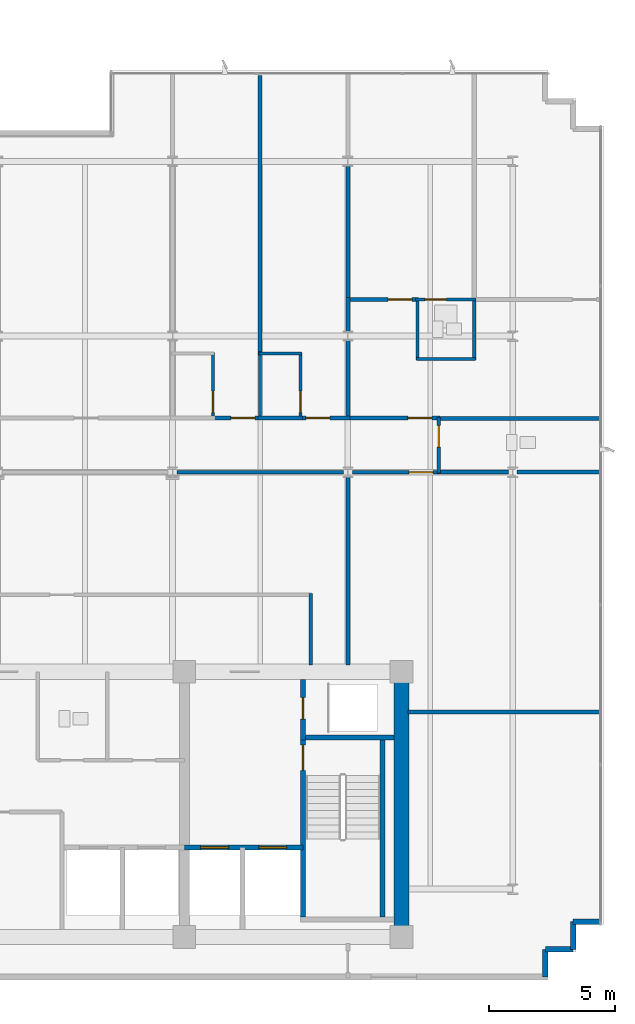
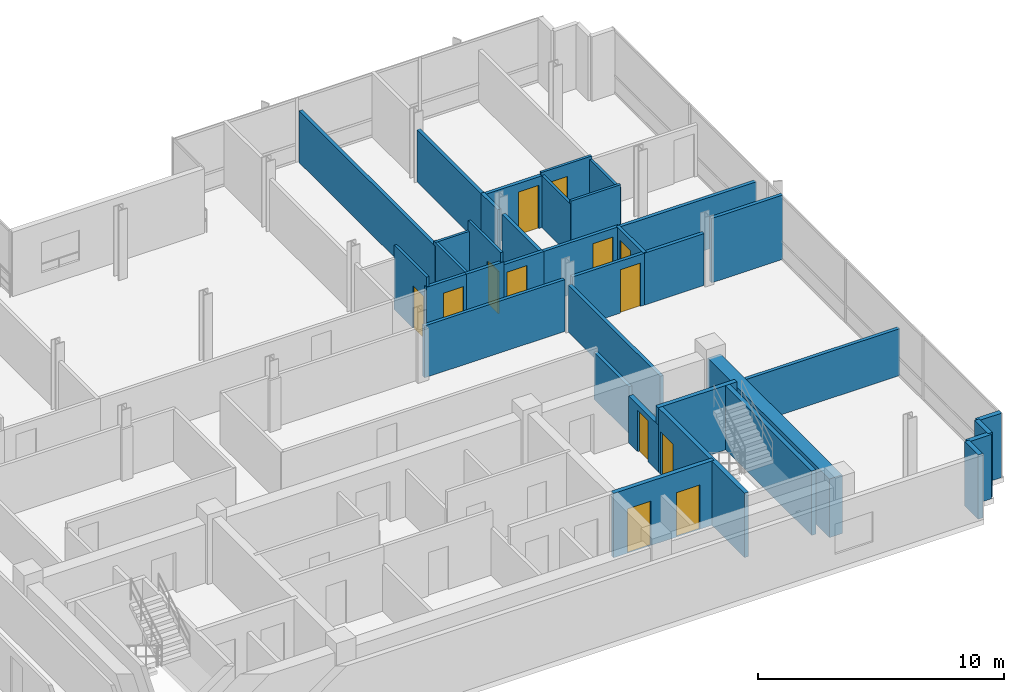
# One storey, part 13 of 17: 36 walls, 13 doors, 13 openings.
"""IFC4 building model written with IfcOpenShell, lengths in metres."""

from ifc_helpers import new_model, si_unit, direction, frame, frame_2d, origin, place, context, subcontext, project, spatial, rectangle, extrude, material, layer, layer_set, type_object, element, fill, save


model = new_model("IFC4")

# Units and contexts
model_context = context("Model", 3, precision=1e-05, world=origin(), true_north=direction((0.0, 1.0)))
body_context = subcontext(model_context, "Body", "Model", "MODEL_VIEW")
ifc_project = project(units=[si_unit("LENGTHUNIT", "METRE"), si_unit("AREAUNIT", "SQUARE_METRE"), si_unit("VOLUMEUNIT", "CUBIC_METRE"), si_unit("PLANEANGLEUNIT", "RADIAN"), si_unit("MASSUNIT", "GRAM", prefix="KILO")], contexts=[model_context])

# Site, building, storey
site_placement = place(None, origin())
site = spatial("IfcSite", under=ifc_project, at=site_placement, CompositionType="ELEMENT")
building_placement = place(site_placement, origin())
building = spatial("IfcBuilding", under=site, at=building_placement, Name="Solmavex Isthmus Hotel", CompositionType="ELEMENT")
storey_placement = place(building_placement, frame((0.0, 0.0, 266.10009765625)))
storey = spatial("IfcBuildingStorey", under=building, at=storey_placement, Name="L72", CompositionType="ELEMENT", Elevation=266.10009765625)

# Walls
ifc_material_1 = material(Name="Precast Concrete C40/50", Category="concrete")
ifc_layer_1 = layer(ifc_material_1, 0.25)
ifc_layer_set_1 = layer_set([ifc_layer_1], Name="Precast Concrete C40/50")
wall_type_1 = type_object("IfcWallType", Name="EW-TWR-250", PredefinedType="STANDARD", material=ifc_layer_set_1)
wall_1_placement = place(storey_placement, frame((23.889892578125, -12.389892578125, 0.0), z_axis=(0.0, 0.0, 1.0), x_axis=(-1.0, 0.0, 0.0)))
element("IfcWall", 1, at=wall_1_placement, inside=storey, type_object=wall_type_1, Name="Serrated Corner Facade Panel L72-16", PredefinedType="STANDARD", context=body_context, shape_type="SweptSolid", body=[
    extrude(rectangle(XDim=1.099853515625, YDim=0.219970703125, at=frame_2d((0.5498046875, 0.0))), origin(), (0.0, 0.0, 1.0), 3.18994140625),
])
for number, where, z_axis, x_axis, name in (
    (2, (22.7900390625, -12.389892578125, 0.0), (0.0, 0.0, 1.0), (0.0, -1.0, 0.0), "Serrated Corner Facade Panel L72-17"),
    (3, (22.7900390625, -13.489990234375, 0.0), (0.0, 0.0, 1.0), (-1.0, 0.0, 0.0), "Serrated Corner Facade Panel L72-18"),
    (4, (21.68994140625, -13.489990234375, 0.0), (0.0, 0.0, 1.0), (0.0, -1.0, 0.0), "Serrated Corner Facade Panel L72-19"),
):
    element("IfcWall", number, at=place(storey_placement, frame(where, z_axis=z_axis, x_axis=x_axis)), inside=storey, type_object=wall_type_1, Name=name, PredefinedType="STANDARD", context=body_context, shape_type="SweptSolid", body=[
        extrude(rectangle(XDim=1.10009765625, YDim=0.219970703125, at=frame_2d((0.550048828125, 0.0))), origin(), (0.0, 0.0, 1.0), 3.18994140625),
    ])
ifc_material_2 = material(Name="Gypsum plasterboard lining", Category="gypsum")
ifc_layer_2 = layer(ifc_material_2, 0.159912109375)
ifc_layer_set_2 = layer_set([ifc_layer_2], Name="Gypsum plasterboard lining")
wall_type_2 = type_object("IfcWallType", Name="IW-COMP-160", PredefinedType="PARTITIONING", material=ifc_layer_set_2)
wall_2_placement = place(storey_placement, frame((10.404052734375, 21.10009765625, 0.0), z_axis=(0.0, 0.0, 1.0), x_axis=(0.0, -1.0, 0.0)))
element("IfcWall", 5, at=wall_2_placement, inside=storey, type_object=wall_type_2, Name="Interior Partition Wall W-L72-P047", PredefinedType="PARTITIONING", context=body_context, shape_type="SweptSolid", body=[
    extrude(rectangle(XDim=11.08203125, YDim=0.159912109375, at=frame_2d((5.541015625, 0.0))), origin(), (0.0, 0.0, 1.0), 2.557373046875),
])
wall_3_placement = place(storey_placement, frame((13.8720703125, 10.613037109375, 0.0), z_axis=(0.0, 0.0, 1.0), x_axis=(0.0, -1.0, 0.0)))
element("IfcWall", 6, at=wall_3_placement, inside=storey, type_object=wall_type_2, Name="Interior Partition Wall W-L72-P051", PredefinedType="PARTITIONING", context=body_context, shape_type="SweptSolid", body=[
    extrude(rectangle(XDim=3.10302734375, YDim=0.159912109375, at=frame_2d((1.551513671875, 0.0))), origin(), (0.0, 0.0, 1.0), 2.572265625),
])
wall_4_placement = place(storey_placement, frame((13.8720703125, 12.320068359375, 0.0), z_axis=(0.0, 0.0, 1.0), x_axis=(0.0, -1.0, 0.0)))
element("IfcWall", 7, at=wall_4_placement, inside=storey, type_object=wall_type_2, Name="Interior Partition Wall W-L72-P052", PredefinedType="PARTITIONING", context=body_context, shape_type="SweptSolid", body=[
    extrude(rectangle(XDim=1.357177734375, YDim=0.159912109375, at=frame_2d((0.6787109375, 0.0))), origin(), (0.0, 0.0, 1.0), 2.572265625),
])
wall_5_placement = place(storey_placement, frame((13.8720703125, 17.52490234375, 0.0), z_axis=(0.0, 0.0, 1.0), x_axis=(0.0, -1.0, 0.0)))
element("IfcWall", 8, at=wall_5_placement, inside=storey, type_object=wall_type_2, Name="Interior Partition Wall W-L72-P053", PredefinedType="PARTITIONING", context=body_context, shape_type="SweptSolid", body=[
    extrude(rectangle(XDim=5.368896484375, YDim=0.159912109375, at=frame_2d((2.6845703125, 0.0))), origin(), (0.0, 0.0, 1.0), 2.572265625),
])

# Wall, opening, door
wall_6_placement = place(storey_placement, frame((13.83203125, 12.238037109375, 0.0), z_axis=(0.0, 0.0, 1.0), x_axis=(1.0, 0.0, 0.0)))
wall_6 = element("IfcWall", 9, at=wall_6_placement, inside=storey, type_object=wall_type_2, Name="Interior Partition Wall W-L72-P055", PredefinedType="PARTITIONING", context=body_context, shape_type="SweptSolid", body=[
    extrude(rectangle(XDim=2.833984375, YDim=0.159912109375, at=frame_2d((1.4169921875, 0.0))), origin(), (0.0, 0.0, 1.0), 2.572265625),
])
opening_1_placement = place(wall_6_placement, frame((1.635986328125, 0.0, 0.0)))
opening_1 = element("IfcOpeningElement", 10, at=opening_1_placement, cuts=wall_6, Name="Opening ID-C095", PredefinedType="OPENING", context=body_context, shape_type="SweptSolid", body=[
    extrude(rectangle(XDim=0.949951171875, YDim=2.14990234375, at=frame_2d((0.47509765625, 1.074951171875))), frame((0.0, 0.08984375, 0.0), z_axis=(0.0, -1.0, 0.0), x_axis=(1.0, 0.0, 0.0)), (0.0, 0.0, 1.0), 0.179931640625),
])
ifc_material_3 = material(Name="Hardwood timber", Category="wood")
door_type_1 = type_object("IfcDoorType", Name="IDR-FD60-0950", OperationType="NOTDEFINED", PredefinedType="DOOR", material=ifc_material_3)
door_1_placement = place(opening_1_placement, origin())
door_1 = element("IfcDoor", 11, at=door_1_placement, inside=storey, type_object=door_type_1, Name="Ambassador Panorama Suite Master Bedroom Door L72-10", OperationType="SINGLE_SWING_RIGHT", OverallHeight=2.14990234375, OverallWidth=0.949951171875, PredefinedType="DOOR", context=body_context, shape_type="SweptSolid", body=[
    extrude(rectangle(XDim=0.949951171875, YDim=2.14990234375, at=frame_2d((0.47509765625, 1.074951171875))), frame((0.0, 0.02490234375, 0.0), z_axis=(0.0, -1.0, 0.0), x_axis=(1.0, 0.0, 0.0)), (0.0, 0.0, 1.0), 0.050048828125),
])
fill(opening_1, door_1)

# Walls
wall_7_placement = place(storey_placement, frame((23.919921875, 7.530029296875, 0.0), z_axis=(0.0, 0.0, 1.0), x_axis=(-1.0, 0.0, 0.0)))
element("IfcWall", 12, at=wall_7_placement, inside=storey, type_object=wall_type_2, Name="Interior Partition Wall W-L72-P060", PredefinedType="PARTITIONING", context=body_context, shape_type="SweptSolid", body=[
    extrude(rectangle(XDim=6.488037109375, YDim=0.159912109375, at=frame_2d((3.244140625, 0.0))), origin(), (0.0, 0.0, 1.0), 2.557373046875),
])
wall_8_placement = place(storey_placement, frame((20.22509765625, 5.39990234375, 0.0), z_axis=(0.0, 0.0, 1.0), x_axis=(-1.0, 0.0, 0.0)))
element("IfcWall", 13, at=wall_8_placement, inside=storey, type_object=wall_type_2, Name="Interior Partition Wall W-L72-P065", PredefinedType="PARTITIONING", context=body_context, shape_type="SweptSolid", body=[
    extrude(rectangle(XDim=2.793212890625, YDim=0.159912109375, at=frame_2d((1.396484375, 0.0))), origin(), (0.0, 0.0, 1.0), 2.572265625),
])
wall_9_placement = place(storey_placement, frame((23.919921875, 5.39990234375, 0.0), z_axis=(0.0, 0.0, 1.0), x_axis=(-1.0, 0.0, 0.0)))
element("IfcWall", 14, at=wall_9_placement, inside=storey, type_object=wall_type_2, Name="Interior Partition Wall W-L72-P066", PredefinedType="PARTITIONING", context=body_context, shape_type="SweptSolid", body=[
    extrude(rectangle(XDim=3.344970703125, YDim=0.159912109375, at=frame_2d((1.67236328125, 0.0))), origin(), (0.0, 0.0, 1.0), 3.18994140625),
])
wall_10_placement = place(storey_placement, frame((16.260009765625, -4.10009765625, 0.0), z_axis=(0.0, 0.0, 1.0), x_axis=(1.0, 0.0, 0.0)))
element("IfcWall", 15, at=wall_10_placement, inside=storey, type_object=wall_type_2, Name="Interior Partition Wall W-L72-P072", PredefinedType="PARTITIONING", context=body_context, shape_type="SweptSolid", body=[
    extrude(rectangle(XDim=7.659912109375, YDim=0.159912109375, at=frame_2d((3.830078125, 0.0))), origin(), (0.0, 0.0, 1.0), 2.324951171875),
])
wall_11_placement = place(storey_placement, frame((13.8720703125, 5.22509765625, 0.0), z_axis=(0.0, 0.0, 1.0), x_axis=(0.0, -1.0, 0.0)))
element("IfcWall", 16, at=wall_11_placement, inside=storey, type_object=wall_type_2, Name="Interior Partition Wall W-L72-P073", PredefinedType="PARTITIONING", context=body_context, shape_type="SweptSolid", body=[
    extrude(rectangle(XDim=7.465087890625, YDim=0.159912109375, at=frame_2d((3.732421875, 0.0))), origin(), (0.0, 0.0, 1.0), 2.324951171875),
])

# Wall, opening, door
ifc_layer_3 = layer(ifc_material_2, 0.14990234375)
ifc_layer_set_3 = layer_set([ifc_layer_3], Name="Gypsum plasterboard lining")
wall_type_3 = type_object("IfcWallType", Name="IW-CORR-150", PredefinedType="PARTITIONING", material=ifc_layer_set_3)
wall_12_placement = place(storey_placement, frame((8.44921875, 7.550048828125, 0.0), z_axis=(0.0, 0.0, 1.0), x_axis=(1.0, 0.0, 0.0)))
wall_12 = element("IfcWall", 17, at=wall_12_placement, inside=storey, type_object=wall_type_3, Name="Interior Partition Wall W-L72-P005", PredefinedType="PARTITIONING", context=body_context, shape_type="SweptSolid", body=[
    extrude(rectangle(XDim=2.036865234375, YDim=0.14990234375, at=frame_2d((1.0185546875, 0.0))), origin(), (0.0, 0.0, 1.0), 2.718017578125),
])
opening_2_placement = place(wall_12_placement, frame((0.789794921875, 0.0, 0.0)))
opening_2 = element("IfcOpeningElement", 18, at=opening_2_placement, cuts=wall_12, Name="Opening ID-C095", PredefinedType="OPENING", context=body_context, shape_type="SweptSolid", body=[
    extrude(rectangle(XDim=0.949951171875, YDim=2.14990234375, at=frame_2d((0.47509765625, 1.074951171875))), frame((0.0, 0.0849609375, 0.0), z_axis=(0.0, -1.0, 0.0), x_axis=(1.0, 0.0, 0.0)), (0.0, 0.0, 1.0), 0.169921875),
])
door_2_placement = place(opening_2_placement, origin())
door_2 = element("IfcDoor", 19, at=door_2_placement, inside=storey, type_object=door_type_1, Name="Diplomatic Suite Door L72-05", OperationType="SINGLE_SWING_LEFT", OverallHeight=2.14990234375, OverallWidth=0.949951171875, PredefinedType="DOOR", context=body_context, shape_type="SweptSolid", body=[
    extrude(rectangle(XDim=0.949951171875, YDim=2.14990234375, at=frame_2d((0.47509765625, 1.074951171875))), frame((0.0, 0.02490234375, 0.0), z_axis=(0.0, -1.0, 0.0), x_axis=(1.0, 0.0, 0.0)), (0.0, 0.0, 1.0), 0.050048828125),
])
fill(opening_2, door_2)

wall_13_placement = place(storey_placement, frame((11.917236328125, 7.550048828125, 0.0), z_axis=(0.0, 0.0, 1.0), x_axis=(1.0, 0.0, 0.0)))
wall_13 = element("IfcWall", 20, at=wall_13_placement, inside=storey, type_object=wall_type_3, Name="Interior Partition Wall W-L72-P007", PredefinedType="PARTITIONING", context=body_context, shape_type="SweptSolid", body=[
    extrude(rectangle(XDim=2.036865234375, YDim=0.14990234375, at=frame_2d((1.0185546875, 0.0))), origin(), (0.0, 0.0, 1.0), 2.572265625),
])
opening_3_placement = place(wall_13_placement, frame((0.296875, 0.0, 0.0)))
opening_3 = element("IfcOpeningElement", 21, at=opening_3_placement, cuts=wall_13, Name="Opening ID-C095", PredefinedType="OPENING", context=body_context, shape_type="SweptSolid", body=[
    extrude(rectangle(XDim=0.949951171875, YDim=2.14990234375, at=frame_2d((0.47509765625, 1.074951171875))), frame((0.0, 0.0849609375, 0.0), z_axis=(0.0, -1.0, 0.0), x_axis=(1.0, 0.0, 0.0)), (0.0, 0.0, 1.0), 0.169921875),
])
door_3_placement = place(opening_3_placement, origin())
door_3 = element("IfcDoor", 22, at=door_3_placement, inside=storey, type_object=door_type_1, Name="Ambassador Suite Door L72-07", OperationType="SINGLE_SWING_LEFT", OverallHeight=2.14990234375, OverallWidth=0.949951171875, PredefinedType="DOOR", context=body_context, shape_type="SweptSolid", body=[
    extrude(rectangle(XDim=0.949951171875, YDim=2.14990234375, at=frame_2d((0.47509765625, 1.074951171875))), frame((0.0, 0.02490234375, 0.0), z_axis=(0.0, -1.0, 0.0), x_axis=(1.0, 0.0, 0.0)), (0.0, 0.0, 1.0), 0.050048828125),
])
fill(opening_3, door_3)

# Wall
wall_14_placement = place(storey_placement, frame((10.322021484375, 7.550048828125, 0.0), z_axis=(0.0, 0.0, 1.0), x_axis=(1.0, 0.0, 0.0)))
element("IfcWall", 23, at=wall_14_placement, inside=storey, type_object=wall_type_3, Name="Interior Partition Wall W-L72-P008", PredefinedType="PARTITIONING", context=body_context, shape_type="SweptSolid", body=[
    extrude(rectangle(XDim=1.75927734375, YDim=0.14990234375, at=frame_2d((0.879638671875, 0.0))), origin(), (0.0, 0.0, 1.0), 2.718017578125),
])

# Wall, opening, door
wall_15_placement = place(storey_placement, frame((13.7900390625, 7.550048828125, 0.0), z_axis=(0.0, 0.0, 1.0), x_axis=(1.0, 0.0, 0.0)))
wall_15 = element("IfcWall", 24, at=wall_15_placement, inside=storey, type_object=wall_type_3, Name="Interior Partition Wall W-L72-P009", PredefinedType="PARTITIONING", context=body_context, shape_type="SweptSolid", body=[
    extrude(rectangle(XDim=3.721923828125, YDim=0.14990234375, at=frame_2d((1.86083984375, 0.0))), origin(), (0.0, 0.0, 1.0), 2.572265625),
])
opening_4_placement = place(wall_15_placement, frame((2.456787109375, 0.0, 0.0)))
opening_4 = element("IfcOpeningElement", 25, at=opening_4_placement, cuts=wall_15, Name="Opening ID-C095", PredefinedType="OPENING", context=body_context, shape_type="SweptSolid", body=[
    extrude(rectangle(XDim=0.949951171875, YDim=2.14990234375, at=frame_2d((0.47509765625, 1.074951171875))), frame((0.0, 0.0849609375, 0.0), z_axis=(0.0, -1.0, 0.0), x_axis=(1.0, 0.0, 0.0)), (0.0, 0.0, 1.0), 0.169921875),
])
door_4_placement = place(opening_4_placement, origin())
door_4 = element("IfcDoor", 26, at=door_4_placement, inside=storey, type_object=door_type_1, Name="Ambassador Panorama Suite Living Salon Door L72-09", OperationType="SINGLE_SWING_LEFT", OverallHeight=2.14990234375, OverallWidth=0.949951171875, PredefinedType="DOOR", context=body_context, shape_type="SweptSolid", body=[
    extrude(rectangle(XDim=0.949951171875, YDim=2.14990234375, at=frame_2d((0.47509765625, 1.074951171875))), frame((0.0, 0.02490234375, 0.0), z_axis=(0.0, -1.0, 0.0), x_axis=(1.0, 0.0, 0.0)), (0.0, 0.0, 1.0), 0.050048828125),
])
fill(opening_4, door_4)

wall_16_placement = place(storey_placement, frame((17.471923828125, 7.570068359375, 0.0), z_axis=(0.0, 0.0, 1.0), x_axis=(0.0, -1.0, 0.0)))
wall_16 = element("IfcWall", 27, at=wall_16_placement, inside=storey, type_object=wall_type_3, Name="Interior Partition Wall W-L72-P011", PredefinedType="PARTITIONING", context=body_context, shape_type="SweptSolid", body=[
    extrude(rectangle(XDim=2.2099609375, YDim=0.14990234375, at=frame_2d((1.10498046875, 0.0))), origin(), (0.0, 0.0, 1.0), 2.572265625),
])
opening_5_placement = place(wall_16_placement, frame((0.322265625, 0.0, 0.0)))
opening_5 = element("IfcOpeningElement", 28, at=opening_5_placement, cuts=wall_16, Name="Opening ID-R085", PredefinedType="OPENING", context=body_context, shape_type="SweptSolid", body=[
    extrude(rectangle(XDim=0.85009765625, YDim=2.050048828125, at=frame_2d((0.425048828125, 1.02490234375))), frame((0.0, 0.0849609375, 0.0), z_axis=(0.0, -1.0, 0.0), x_axis=(1.0, 0.0, 0.0)), (0.0, 0.0, 1.0), 0.169921875),
])
ifc_material_4 = material(Name="Steel ASTM A500 Grade C", Category="steel")
door_type_2 = type_object("IfcDoorType", Name="IDR-FD60-0850", OperationType="NOTDEFINED", PredefinedType="DOOR", material=ifc_material_4)
door_5_placement = place(opening_5_placement, frame((0.85009765625, 0.0, 0.0), z_axis=(0.0, 0.0, 1.0), x_axis=(-1.0, 0.0, 0.0)))
door_5 = element("IfcDoor", 29, at=door_5_placement, inside=storey, type_object=door_type_2, Name="Public Restroom WC Door L72-14", OperationType="SINGLE_SWING_RIGHT", OverallHeight=2.050048828125, OverallWidth=0.85009765625, PredefinedType="DOOR", context=body_context, shape_type="SweptSolid", body=[
    extrude(rectangle(XDim=0.85009765625, YDim=2.050048828125, at=frame_2d((0.425048828125, 1.02490234375))), frame((0.0, 0.02490234375, 0.0), z_axis=(0.0, -1.0, 0.0), x_axis=(1.0, 0.0, 0.0)), (0.0, 0.0, 1.0), 0.050048828125),
])
fill(opening_5, door_5)

# Walls
wall_17_placement = place(storey_placement, frame((13.697021484375, 5.39990234375, 0.0), z_axis=(0.0, 0.0, 1.0), x_axis=(-1.0, 0.0, 0.0)))
element("IfcWall", 30, at=wall_17_placement, inside=storey, type_object=wall_type_3, Name="Interior Partition Wall W-L72-P024", PredefinedType="PARTITIONING", context=body_context, shape_type="SweptSolid", body=[
    extrude(rectangle(XDim=6.5859375, YDim=0.14990234375, at=frame_2d((3.29296875, 0.0))), origin(), (0.0, 0.0, 1.0), 2.572265625),
])
wall_18_placement = place(storey_placement, frame((12.39990234375, 0.590087890625, 0.0), z_axis=(0.0, 0.0, 1.0), x_axis=(0.0, -1.0, 0.0)))
element("IfcWall", 31, at=wall_18_placement, inside=storey, type_object=wall_type_3, Name="Interior Partition Wall W-L72-P031", PredefinedType="PARTITIONING", context=body_context, shape_type="SweptSolid", body=[
    extrude(rectangle(XDim=2.830078125, YDim=0.14990234375, at=frame_2d((1.4150390625, 0.0))), origin(), (0.0, 0.0, 1.0), 2.324951171875),
])

# Wall, opening, door
wall_19_placement = place(storey_placement, frame((17.511962890625, 5.39990234375, 0.0), z_axis=(0.0, 0.0, 1.0), x_axis=(-1.0, 0.0, 0.0)))
wall_19 = element("IfcWall", 32, at=wall_19_placement, inside=storey, type_object=wall_type_3, Name="Interior Partition Wall W-L72-P032", PredefinedType="PARTITIONING", context=body_context, shape_type="SweptSolid", body=[
    extrude(rectangle(XDim=3.46484375, YDim=0.14990234375, at=frame_2d((1.732421875, 0.0))), origin(), (0.0, 0.0, 1.0), 2.572265625),
])
opening_6_placement = place(wall_19_placement, frame((0.26220703125, 0.0, 0.0)))
opening_6 = element("IfcOpeningElement", 33, at=opening_6_placement, cuts=wall_19, Name="Opening ID-C095", PredefinedType="OPENING", context=body_context, shape_type="SweptSolid", body=[
    extrude(rectangle(XDim=0.949951171875, YDim=2.14990234375, at=frame_2d((0.47509765625, 1.074951171875))), frame((0.0, 0.0849609375, 0.0), z_axis=(0.0, -1.0, 0.0), x_axis=(1.0, 0.0, 0.0)), (0.0, 0.0, 1.0), 0.169921875),
])
door_6_placement = place(opening_6_placement, origin())
door_6 = element("IfcDoor", 34, at=door_6_placement, inside=storey, type_object=door_type_1, Name="Executive Boardroom Door L72-23", OperationType="SINGLE_SWING_LEFT", OverallHeight=2.14990234375, OverallWidth=0.949951171875, PredefinedType="DOOR", context=body_context, shape_type="SweptSolid", body=[
    extrude(rectangle(XDim=0.949951171875, YDim=2.14990234375, at=frame_2d((0.47509765625, 1.074951171875))), frame((0.0, 0.02490234375, 0.0), z_axis=(0.0, -1.0, 0.0), x_axis=(1.0, 0.0, 0.0)), (0.0, 0.0, 1.0), 0.050048828125),
])
fill(opening_6, door_6)

ifc_layer_4 = layer(ifc_material_2, 0.1201171875)
ifc_layer_set_4 = layer_set([ifc_layer_4], Name="Gypsum plasterboard lining")
wall_type_4 = type_object("IfcWallType", Name="IW-PART-120", PredefinedType="PARTITIONING", material=ifc_layer_set_4)
wall_20_placement = place(storey_placement, frame((8.53125, 7.510009765625, 0.0), z_axis=(0.0, 0.0, 1.0), x_axis=(0.0, 1.0, 0.0)))
wall_20 = element("IfcWall", 35, at=wall_20_placement, inside=storey, type_object=wall_type_4, Name="Interior Partition Wall W-L72-P045", PredefinedType="PARTITIONING", context=body_context, shape_type="SweptSolid", body=[
    extrude(rectangle(XDim=2.6298828125, YDim=0.1201171875, at=frame_2d((1.31494140625, 0.0))), origin(), (0.0, 0.0, 1.0), 3.18994140625),
])
opening_7_placement = place(wall_20_placement, frame((0.247314453125, 0.0, 0.0)))
opening_7 = element("IfcOpeningElement", 36, at=opening_7_placement, cuts=wall_20, Name="Opening ID-U085", PredefinedType="OPENING", context=body_context, shape_type="SweptSolid", body=[
    extrude(rectangle(XDim=0.85009765625, YDim=2.10009765625, at=frame_2d((0.425048828125, 1.050048828125))), frame((0.0, 0.070068359375, 0.0), z_axis=(0.0, -1.0, 0.0), x_axis=(1.0, 0.0, 0.0)), (0.0, 0.0, 1.0), 0.14013671875),
])
door_type_3 = type_object("IfcDoorType", Name="IDR-UNR-0850", OperationType="NOTDEFINED", PredefinedType="DOOR", material=ifc_material_3)
door_7_placement = place(opening_7_placement, frame((0.85009765625, 0.0, 0.0), z_axis=(0.0, 0.0, 1.0), x_axis=(-1.0, 0.0, 0.0)))
door_7 = element("IfcDoor", 37, at=door_7_placement, inside=storey, type_object=door_type_3, Name="En-suite Bathroom Door L72-06", OperationType="SINGLE_SWING_RIGHT", OverallHeight=2.10009765625, OverallWidth=0.85009765625, PredefinedType="DOOR", context=body_context, shape_type="SweptSolid", body=[
    extrude(rectangle(XDim=0.85009765625, YDim=2.10009765625, at=frame_2d((0.425048828125, 1.050048828125))), frame((0.0, 0.02490234375, 0.0), z_axis=(0.0, -1.0, 0.0), x_axis=(1.0, 0.0, 0.0)), (0.0, 0.0, 1.0), 0.050048828125),
])
fill(opening_7, door_7)

# Wall
wall_21_placement = place(storey_placement, frame((10.404052734375, 10.181884765625, 0.0), z_axis=(0.0, 0.0, 1.0), x_axis=(0.0, -1.0, 0.0)))
element("IfcWall", 38, at=wall_21_placement, inside=storey, type_object=wall_type_4, Name="Interior Partition Wall W-L72-P048", PredefinedType="PARTITIONING", context=body_context, shape_type="SweptSolid", body=[
    extrude(rectangle(XDim=2.671875, YDim=0.1201171875, at=frame_2d((1.3359375, 0.0))), origin(), (0.0, 0.0, 1.0), 2.718017578125),
])

# Wall, opening, door
wall_22_placement = place(storey_placement, frame((11.999267578125, 7.510009765625, 0.0), z_axis=(0.0, 0.0, 1.0), x_axis=(0.0, 1.0, 0.0)))
wall_22 = element("IfcWall", 39, at=wall_22_placement, inside=storey, type_object=wall_type_4, Name="Interior Partition Wall W-L72-P049", PredefinedType="PARTITIONING", context=body_context, shape_type="SweptSolid", body=[
    extrude(rectangle(XDim=2.6298828125, YDim=0.1201171875, at=frame_2d((1.31494140625, 0.0))), origin(), (0.0, 0.0, 1.0), 3.18994140625),
])
opening_8_placement = place(wall_22_placement, frame((0.247314453125, 0.0, 0.0)))
opening_8 = element("IfcOpeningElement", 40, at=opening_8_placement, cuts=wall_22, Name="Opening ID-U085", PredefinedType="OPENING", context=body_context, shape_type="SweptSolid", body=[
    extrude(rectangle(XDim=0.85009765625, YDim=2.10009765625, at=frame_2d((0.425048828125, 1.050048828125))), frame((0.0, 0.070068359375, 0.0), z_axis=(0.0, -1.0, 0.0), x_axis=(1.0, 0.0, 0.0)), (0.0, 0.0, 1.0), 0.14013671875),
])
door_8_placement = place(opening_8_placement, origin())
door_8 = element("IfcDoor", 41, at=door_8_placement, inside=storey, type_object=door_type_3, Name="En-suite Bathroom Door L72-08", OperationType="SINGLE_SWING_RIGHT", OverallHeight=2.10009765625, OverallWidth=0.85009765625, PredefinedType="DOOR", context=body_context, shape_type="SweptSolid", body=[
    extrude(rectangle(XDim=0.85009765625, YDim=2.10009765625, at=frame_2d((0.425048828125, 1.050048828125))), frame((0.0, 0.02490234375, 0.0), z_axis=(0.0, -1.0, 0.0), x_axis=(1.0, 0.0, 0.0)), (0.0, 0.0, 1.0), 0.050048828125),
])
fill(opening_8, door_8)

# Walls
wall_23_placement = place(storey_placement, frame((12.039306640625, 10.10009765625, 0.0), z_axis=(0.0, 0.0, 1.0), x_axis=(-1.0, 0.0, 0.0)))
element("IfcWall", 42, at=wall_23_placement, inside=storey, type_object=wall_type_4, Name="Interior Partition Wall W-L72-P050", PredefinedType="PARTITIONING", context=body_context, shape_type="SweptSolid", body=[
    extrude(rectangle(XDim=1.67529296875, YDim=0.1201171875, at=frame_2d((0.837646484375, 0.0))), origin(), (0.0, 0.0, 1.0), 2.718017578125),
])
wall_24_placement = place(storey_placement, frame((16.6259765625, 12.278076171875, 0.0), z_axis=(0.0, 0.0, 1.0), x_axis=(0.0, -1.0, 0.0)))
element("IfcWall", 43, at=wall_24_placement, inside=storey, type_object=wall_type_4, Name="Interior Partition Wall W-L72-P057", PredefinedType="PARTITIONING", context=body_context, shape_type="SweptSolid", body=[
    extrude(rectangle(XDim=2.43017578125, YDim=0.1201171875, at=frame_2d((1.215087890625, 0.0))), origin(), (0.0, 0.0, 1.0), 2.572265625),
])
wall_25_placement = place(storey_placement, frame((16.5859375, 9.887939453125, 0.0), z_axis=(0.0, 0.0, 1.0), x_axis=(1.0, 0.0, 0.0)))
element("IfcWall", 44, at=wall_25_placement, inside=storey, type_object=wall_type_4, Name="Interior Partition Wall W-L72-P058", PredefinedType="PARTITIONING", context=body_context, shape_type="SweptSolid", body=[
    extrude(rectangle(XDim=2.330078125, YDim=0.1201171875, at=frame_2d((1.1650390625, 0.0))), origin(), (0.0, 0.0, 1.0), 2.718017578125),
])
wall_26_placement = place(storey_placement, frame((18.8759765625, 9.847900390625, 0.0), z_axis=(0.0, 0.0, 1.0), x_axis=(0.0, 1.0, 0.0)))
element("IfcWall", 45, at=wall_26_placement, inside=storey, type_object=wall_type_4, Name="Interior Partition Wall W-L72-P059", PredefinedType="PARTITIONING", context=body_context, shape_type="SweptSolid", body=[
    extrude(rectangle(XDim=2.43017578125, YDim=0.1201171875, at=frame_2d((1.215087890625, 0.0))), origin(), (0.0, 0.0, 1.0), 2.572265625),
])

# Wall, opening, door
wall_27_placement = place(storey_placement, frame((18.916015625, 12.238037109375, 0.0), z_axis=(0.0, 0.0, 1.0), x_axis=(-1.0, 0.0, 0.0)))
wall_27 = element("IfcWall", 46, at=wall_27_placement, inside=storey, type_object=wall_type_4, Name="Interior Partition Wall W-L72-P062", PredefinedType="PARTITIONING", context=body_context, shape_type="SweptSolid", body=[
    extrude(rectangle(XDim=2.3720703125, YDim=0.1201171875, at=frame_2d((1.18603515625, 0.0))), origin(), (0.0, 0.0, 1.0), 2.718017578125),
])
opening_9_placement = place(wall_27_placement, frame((1.14599609375, 0.0, 0.0)))
opening_9 = element("IfcOpeningElement", 47, at=opening_9_placement, cuts=wall_27, Name="Opening ID-U085", PredefinedType="OPENING", context=body_context, shape_type="SweptSolid", body=[
    extrude(rectangle(XDim=0.85009765625, YDim=2.10009765625, at=frame_2d((0.425048828125, 1.050048828125))), frame((0.0, 0.070068359375, 0.0), z_axis=(0.0, -1.0, 0.0), x_axis=(1.0, 0.0, 0.0)), (0.0, 0.0, 1.0), 0.14013671875),
])
door_9_placement = place(opening_9_placement, frame((0.85009765625, 0.0, 0.0), z_axis=(0.0, 0.0, 1.0), x_axis=(-1.0, 0.0, 0.0)))
door_9 = element("IfcDoor", 48, at=door_9_placement, inside=storey, type_object=door_type_3, Name="En-suite Bathroom Door L72-12", OperationType="SINGLE_SWING_RIGHT", OverallHeight=2.10009765625, OverallWidth=0.85009765625, PredefinedType="DOOR", context=body_context, shape_type="SweptSolid", body=[
    extrude(rectangle(XDim=0.85009765625, YDim=2.10009765625, at=frame_2d((0.425048828125, 1.050048828125))), frame((0.0, 0.02490234375, 0.0), z_axis=(0.0, -1.0, 0.0), x_axis=(1.0, 0.0, 0.0)), (0.0, 0.0, 1.0), 0.050048828125),
])
fill(opening_9, door_9)

ifc_material_5 = material(Name="Concrete C40/50", Category="concrete")
ifc_layer_5 = layer(ifc_material_5, 0.199951171875)
ifc_layer_set_5 = layer_set([ifc_layer_5], Name="Concrete C40/50")
wall_type_5 = type_object("IfcWallType", Name="IW-SHAFT-200", PredefinedType="PARTITIONING", material=ifc_layer_set_5)
wall_28_placement = place(storey_placement, frame((12.10009765625, -5.199951171875, 0.0), z_axis=(0.0, 0.0, 1.0), x_axis=(0.0, 1.0, 0.0)))
wall_28 = element("IfcWall", 49, at=wall_28_placement, inside=storey, type_object=wall_type_5, Name="Interior Partition Wall W-L72-RSE-W", PredefinedType="PARTITIONING", context=body_context, shape_type="SweptSolid", body=[
    extrude(rectangle(XDim=2.39990234375, YDim=0.199951171875, at=frame_2d((1.199951171875, 0.0))), origin(), (0.0, 0.0, 1.0), 2.324951171875),
])
opening_10_placement = place(wall_28_placement, frame((0.824951171875, 0.0, 0.0)))
opening_10 = element("IfcOpeningElement", 50, at=opening_10_placement, cuts=wall_28, Name="Opening ID-R085", PredefinedType="OPENING", context=body_context, shape_type="SweptSolid", body=[
    extrude(rectangle(XDim=0.85009765625, YDim=2.050048828125, at=frame_2d((0.425048828125, 1.02490234375))), frame((0.0, 0.10986328125, 0.0), z_axis=(0.0, -1.0, 0.0), x_axis=(1.0, 0.0, 0.0)), (0.0, 0.0, 1.0), 0.219970703125),
])
door_10_placement = place(opening_10_placement, frame((0.85009765625, 0.0, 0.0), z_axis=(0.0, 0.0, 1.0), x_axis=(-1.0, 0.0, 0.0)))
door_10 = element("IfcDoor", 51, at=door_10_placement, inside=storey, type_object=door_type_2, Name="Mechanical Riser Door L72", OperationType="SINGLE_SWING_LEFT", OverallHeight=2.050048828125, OverallWidth=0.85009765625, PredefinedType="DOOR", context=body_context, shape_type="SweptSolid", body=[
    extrude(rectangle(XDim=0.85009765625, YDim=2.050048828125, at=frame_2d((0.425048828125, 1.02490234375))), frame((0.0, 0.02490234375, 0.0), z_axis=(0.0, -1.0, 0.0), x_axis=(1.0, 0.0, 0.0)), (0.0, 0.0, 1.0), 0.050048828125),
])
fill(opening_10, door_10)

# Wall, openings, doors
wall_29_placement = place(storey_placement, frame((7.39990234375, -9.449951171875, 0.0), z_axis=(0.0, 0.0, 1.0), x_axis=(1.0, 0.0, 0.0)))
wall_29 = element("IfcWall", 52, at=wall_29_placement, inside=storey, type_object=wall_type_5, Name="Interior Partition Wall W-L72-FFLE-S", PredefinedType="PARTITIONING", context=body_context, shape_type="SweptSolid", body=[
    extrude(rectangle(XDim=4.7001953125, YDim=0.199951171875, at=frame_2d((2.35009765625, 0.0))), origin(), (0.0, 0.0, 1.0), 3.18994140625),
])
opening_11_placement = place(wall_29_placement, frame((2.949951171875, 0.0, 0.0)))
opening_11 = element("IfcOpeningElement", 53, at=opening_11_placement, cuts=wall_29, Name="Opening LD-FF", PredefinedType="OPENING", context=body_context, shape_type="SweptSolid", body=[
    extrude(rectangle(XDim=1.10009765625, YDim=2.199951171875, at=frame_2d((0.550048828125, 1.10009765625))), frame((0.0, 0.10986328125, 0.0), z_axis=(0.0, -1.0, 0.0), x_axis=(1.0, 0.0, 0.0)), (0.0, 0.0, 1.0), 0.219970703125),
])
opening_12_placement = place(wall_29_placement, frame((0.64990234375, 0.0, 0.0)))
opening_12 = element("IfcOpeningElement", 54, at=opening_12_placement, cuts=wall_29, Name="Opening LD-SV", PredefinedType="OPENING", context=body_context, shape_type="SweptSolid", body=[
    extrude(rectangle(XDim=1.10009765625, YDim=2.199951171875, at=frame_2d((0.550048828125, 1.10009765625))), frame((0.0, 0.10986328125, 0.0), z_axis=(0.0, -1.0, 0.0), x_axis=(1.0, 0.0, 0.0)), (0.0, 0.0, 1.0), 0.219970703125),
])
ifc_material_6 = material(Name="Stainless steel 316", Category="steel")
door_type_4 = type_object("IfcDoorType", Name="LDR-FF-1100", OperationType="NOTDEFINED", PredefinedType="DOOR", material=ifc_material_6)
door_11_placement = place(opening_11_placement, origin())
door_11 = element("IfcDoor", 55, at=door_11_placement, inside=storey, type_object=door_type_4, Name="Lift Landing Door FFL-2 L72", OperationType="SLIDING_TO_LEFT", OverallHeight=2.199951171875, OverallWidth=1.10009765625, PredefinedType="DOOR", context=body_context, shape_type="SweptSolid", body=[
    extrude(rectangle(XDim=1.10009765625, YDim=2.199951171875, at=frame_2d((0.550048828125, 1.10009765625))), frame((0.0, 0.02490234375, 0.0), z_axis=(0.0, -1.0, 0.0), x_axis=(1.0, 0.0, 0.0)), (0.0, 0.0, 1.0), 0.050048828125),
])
fill(opening_11, door_11)
door_type_5 = type_object("IfcDoorType", Name="LDR-SV-1100", OperationType="NOTDEFINED", PredefinedType="DOOR", material=ifc_material_6)
door_12_placement = place(opening_12_placement, origin())
door_12 = element("IfcDoor", 56, at=door_12_placement, inside=storey, type_object=door_type_5, Name="Lift Landing Door SVL-2 L72", OperationType="SLIDING_TO_RIGHT", OverallHeight=2.199951171875, OverallWidth=1.10009765625, PredefinedType="DOOR", context=body_context, shape_type="SweptSolid", body=[
    extrude(rectangle(XDim=1.10009765625, YDim=2.199951171875, at=frame_2d((0.550048828125, 1.10009765625))), frame((0.0, 0.02490234375, 0.0), z_axis=(0.0, -1.0, 0.0), x_axis=(1.0, 0.0, 0.0)), (0.0, 0.0, 1.0), 0.050048828125),
])
fill(opening_12, door_12)

# Walls
ifc_material_7 = material(Name="Concrete C50/60", Category="concrete")
ifc_layer_6 = layer(ifc_material_7, 0.60009765625)
ifc_layer_set_6 = layer_set([ifc_layer_6], Name="Concrete C50/60")
wall_type_6 = type_object("IfcWallType", Name="WALL-CW-600", PredefinedType="SHEAR", material=ifc_layer_set_6)
wall_30_placement = place(storey_placement, frame((16.0, -12.699951171875, 0.0), z_axis=(0.0, 0.0, 1.0), x_axis=(0.0, 1.0, 0.0)))
element("IfcWall", 57, at=wall_30_placement, inside=storey, type_object=wall_type_6, Name="Core Shear Wall East L72", PredefinedType="SHEAR", context=body_context, shape_type="SweptSolid", body=[
    extrude(rectangle(XDim=9.89990234375, YDim=0.60009765625, at=frame_2d((4.949951171875, 0.0))), origin(), (0.0, 0.0, 1.0), 2.909912109375),
])
ifc_layer_7 = layer(ifc_material_5, 0.199951171875)
ifc_layer_set_7 = layer_set([ifc_layer_7], Name="Concrete C40/50")
wall_type_7 = type_object("IfcWallType", Name="WALL-SW-200", PredefinedType="SOLIDWALL", material=ifc_layer_set_7)
wall_31_placement = place(storey_placement, frame((12.0, -5.10009765625, 0.0), z_axis=(0.0, 0.0, 1.0), x_axis=(1.0, 0.0, 0.0)))
element("IfcWall", 58, at=wall_31_placement, inside=storey, type_object=wall_type_7, Name="Stairwell Structural Wall SW-L72-ST2-N", PredefinedType="SOLIDWALL", context=body_context, shape_type="SweptSolid", body=[
    extrude(rectangle(XDim=3.699951171875, YDim=0.199951171875, at=frame_2d((1.85009765625, 0.0))), origin(), (0.0, 0.0, 1.0), 3.18994140625),
])

# Wall, opening, door
wall_32_placement = place(storey_placement, frame((12.10009765625, -12.199951171875, 0.0), z_axis=(0.0, 0.0, 1.0), x_axis=(0.0, 1.0, 0.0)))
wall_32 = element("IfcWall", 59, at=wall_32_placement, inside=storey, type_object=wall_type_7, Name="Stairwell Structural Wall SW-L72-ST2-W", PredefinedType="SOLIDWALL", context=body_context, shape_type="SweptSolid", body=[
    extrude(rectangle(XDim=7.0, YDim=0.199951171875, at=frame_2d((3.5, 0.0))), origin(), (0.0, 0.0, 1.0), 3.18994140625),
])
opening_13_placement = place(wall_32_placement, frame((5.800048828125, 0.0, 0.0)))
opening_13 = element("IfcOpeningElement", 60, at=opening_13_placement, cuts=wall_32, Name="Opening ID-F100", PredefinedType="OPENING", context=body_context, shape_type="SweptSolid", body=[
    extrude(rectangle(XDim=1.0, YDim=2.10009765625, at=frame_2d((0.5, 1.050048828125))), frame((0.0, 0.10986328125, 0.0), z_axis=(0.0, -1.0, 0.0), x_axis=(1.0, 0.0, 0.0)), (0.0, 0.0, 1.0), 0.219970703125),
])
door_type_6 = type_object("IfcDoorType", Name="IDR-FD90-1000", OperationType="NOTDEFINED", PredefinedType="DOOR", material=ifc_material_4)
door_13_placement = place(opening_13_placement, origin())
door_13 = element("IfcDoor", 61, at=door_13_placement, inside=storey, type_object=door_type_6, Name="Stair ST-2 Fire Door L72", OperationType="SINGLE_SWING_RIGHT", OverallHeight=2.10009765625, OverallWidth=1.0, PredefinedType="DOOR", context=body_context, shape_type="SweptSolid", body=[
    extrude(rectangle(XDim=1.0, YDim=2.10009765625, at=frame_2d((0.5, 1.050048828125))), frame((0.0, 0.02490234375, 0.0), z_axis=(0.0, -1.0, 0.0), x_axis=(1.0, 0.0, 0.0)), (0.0, 0.0, 1.0), 0.050048828125),
])
fill(opening_13, door_13)

# Wall
wall_33_placement = place(storey_placement, frame((15.25, -12.199951171875, 0.0), z_axis=(0.0, 0.0, 1.0), x_axis=(0.0, 1.0, 0.0)))
element("IfcWall", 62, at=wall_33_placement, inside=storey, type_object=wall_type_7, Name="Stairwell Structural Wall SW-L72-ST2-E", PredefinedType="SOLIDWALL", context=body_context, shape_type="SweptSolid", body=[
    extrude(rectangle(XDim=7.0, YDim=0.199951171875, at=frame_2d((3.5, 0.0))), origin(), (0.0, 0.0, 1.0), 3.18994140625),
])

save(model, "model.ifc")
